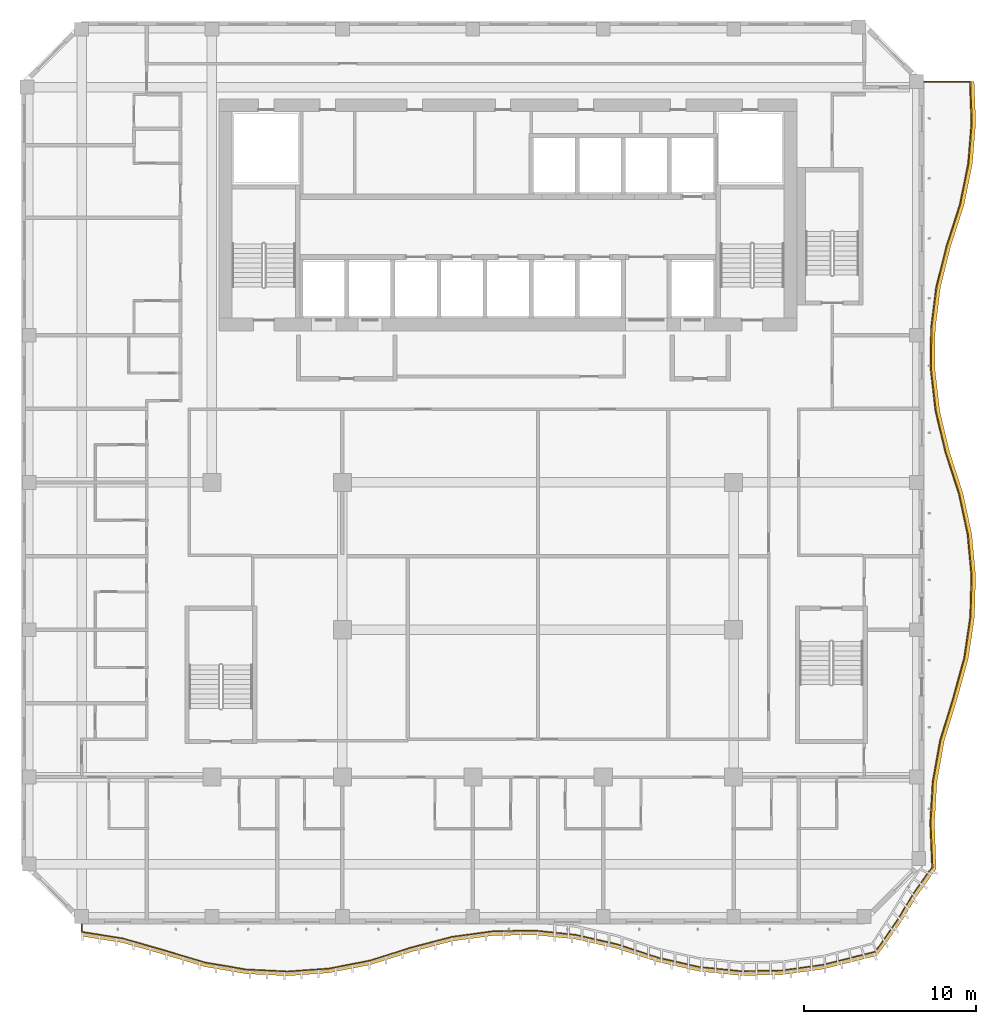
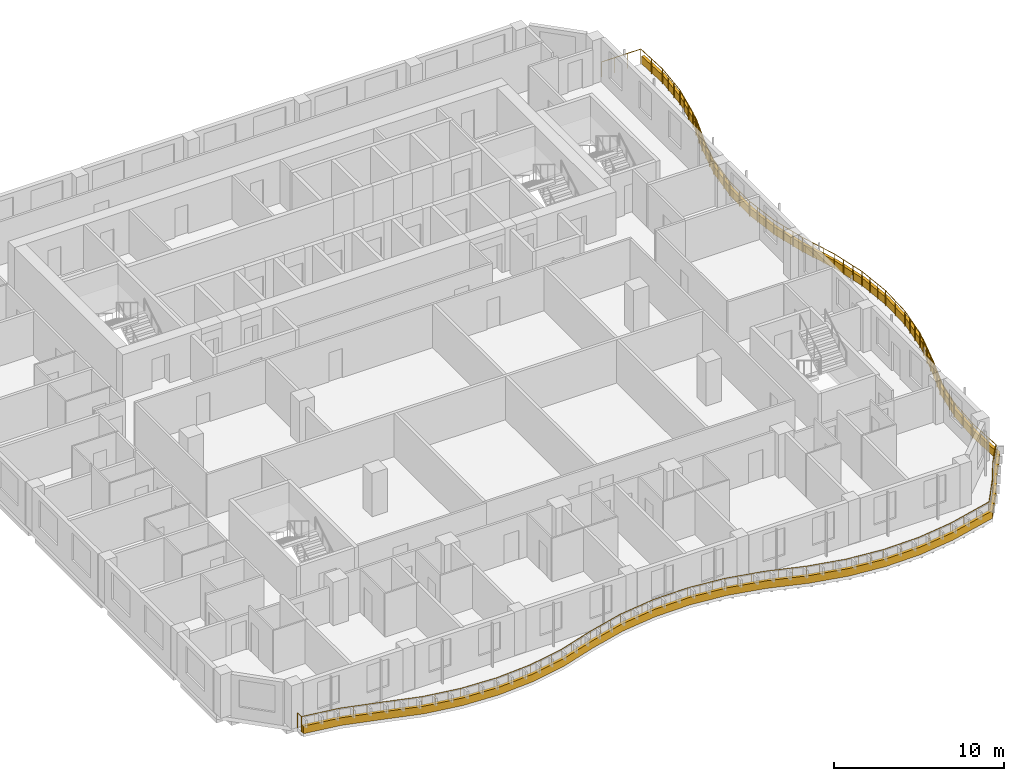
# One storey, part 17 of 21: 1 railing, 1 shading device.
"""IFC4 building model written with IfcOpenShell, lengths in metres."""

from ifc_helpers import new_model, si_unit, direction, frame, origin, origin_2d, place, context, subcontext, project, spatial, polyline, circle, outline, extrude, source, transform, mapped, material, layer, layer_set, type_object, element, save


model = new_model("IFC4")

# Units and contexts
model_context = context("Model", 3, precision=1e-05, world=origin(), true_north=direction((0.0, 1.0)))
body_context = subcontext(model_context, "Body", "Model", "MODEL_VIEW")
ifc_project = project(units=[si_unit("LENGTHUNIT", "METRE"), si_unit("AREAUNIT", "SQUARE_METRE"), si_unit("VOLUMEUNIT", "CUBIC_METRE"), si_unit("PLANEANGLEUNIT", "RADIAN"), si_unit("MASSUNIT", "GRAM", prefix="KILO")], contexts=[model_context])

# Site, building, storey
site_placement = place(None, origin())
site = spatial("IfcSite", under=ifc_project, at=site_placement, CompositionType="ELEMENT")
building_placement = place(site_placement, origin())
building = spatial("IfcBuilding", under=site, at=building_placement, Name="Kilnfold Tower and Market Hall", CompositionType="ELEMENT")
storey_placement = place(building_placement, frame((0.0, 0.0, 185.5)))
storey = spatial("IfcBuildingStorey", under=building, at=storey_placement, Name="L44", CompositionType="ELEMENT", Elevation=185.5)

# Railing
ifc_material_1 = material(Name="Stainless steel and laminated glass", Category="steel")
railing_type = type_object("IfcRailingType", Name="GUARD 1100", PredefinedType="GUARDRAIL", material=ifc_material_1)
railing_placement = place(storey_placement, frame((-23.75, -26.25, 0.0)))
element("IfcRailing", 1, at=railing_placement, inside=storey, type_object=railing_type, Name="Guard balcony L44", PredefinedType="GUARDRAIL", context=body_context, shape_type="SweptSolid", body=[
    extrude(circle(Radius=0.02490234375, at=origin_2d()), frame((0.0, 0.0, 1.0751953125), z_axis=(0.0, -1.0, 0.0), x_axis=(1.0, 0.0, 0.0)), (0.0, 0.0, 1.0), 0.4453125),
    extrude(circle(Radius=0.02490234375, at=origin_2d()), frame((0.0, -0.4453125, 1.0751953125), z_axis=(0.987650865761, -0.156670888686, 0.0), x_axis=(0.156670888686, 0.987650865761, 0.0)), (0.0, 0.0, 1.0), 2.4248046875),
    extrude(circle(Radius=0.02490234375, at=origin_2d()), frame((2.394775390625, -0.8251953125, 1.0751953125), z_axis=(0.961227557849, -0.275756381669, 0.0), x_axis=(0.275756381669, 0.961227557849, 0.0)), (0.0, 0.0, 1.0), 2.491455078125),
    extrude(circle(Radius=0.02490234375, at=origin_2d()), frame((4.78955078125, -1.51220703125, 1.0751953125), z_axis=(0.958239394231, -0.285967241733, 0.0), x_axis=(0.285967241733, 0.958239394231, 0.0)), (0.0, 0.0, 1.0), 2.498779296875),
    extrude(circle(Radius=0.02490234375, at=origin_2d()), frame((7.18408203125, -2.226806640625, 1.0751953125), z_axis=(0.985930978156, -0.167152942876, 0.0), x_axis=(0.167152942876, 0.985930978156, 0.0)), (0.0, 0.0, 1.0), 2.428955078125),
    extrude(circle(Radius=0.02490234375, at=origin_2d()), frame((9.578857421875, -2.6328125, 1.0751953125), z_axis=(0.998829571825, -0.048368238008, 0.0), x_axis=(0.048368238008, 0.998829571825, 0.0)), (0.0, 0.0, 1.0), 2.3974609375),
    extrude(circle(Radius=0.02490234375, at=origin_2d()), frame((11.9736328125, -2.748779296875, 1.0751953125), z_axis=(0.997499316582, 0.070676116324, 0.0), x_axis=(-0.070676116324, 0.997499316582, 0.0)), (0.0, 0.0, 1.0), 2.40087890625),
    extrude(circle(Radius=0.02490234375, at=origin_2d()), frame((14.368408203125, -2.5791015625, 1.0751953125), z_axis=(0.981864089464, 0.189586154087, 0.0), x_axis=(-0.189586154087, 0.981864089464, 0.0)), (0.0, 0.0, 1.0), 2.43896484375),
    extrude(circle(Radius=0.02490234375, at=origin_2d()), frame((16.76318359375, -2.11669921875, 1.0751953125), z_axis=(0.953347353448, 0.301875510226, 0.0), x_axis=(-0.301875510226, 0.953347353448, 0.0)), (0.0, 0.0, 1.0), 2.511962890625),
    extrude(circle(Radius=0.02490234375, at=origin_2d()), frame((19.157958984375, -1.3583984375, 1.0751953125), z_axis=(0.967366467513, 0.253381367765, 0.0), x_axis=(-0.253381367765, 0.967366467513, 0.0)), (0.0, 0.0, 1.0), 2.475341796875),
    extrude(circle(Radius=0.02490234375, at=origin_2d()), frame((21.552490234375, -0.731201171875, 1.0751953125), z_axis=(0.99093436759, 0.134346861253, 0.0), x_axis=(-0.134346861253, 0.99093436759, 0.0)), (0.0, 0.0, 1.0), 2.4169921875),
    extrude(circle(Radius=0.02490234375, at=origin_2d()), frame((23.947509765625, -0.406494140625, 1.0751953125), z_axis=(0.999879934552, 0.015495692297, 0.0), x_axis=(-0.015495692297, 0.999879934552, 0.0)), (0.0, 0.0, 1.0), 2.394775390625),
    extrude(circle(Radius=0.02490234375, at=origin_2d()), frame((26.342041015625, -0.369384765625, 1.0751953125), z_axis=(0.994626460365, -0.103528760937, 0.0), x_axis=(0.103528760937, 0.994626460365, 0.0)), (0.0, 0.0, 1.0), 2.40771484375),
    extrude(circle(Radius=0.02490234375, at=origin_2d()), frame((28.73681640625, -0.61865234375, 1.0751953125), z_axis=(0.974967577749, -0.2223470763, 0.0), x_axis=(0.2223470763, 0.974967577749, 0.0)), (0.0, 0.0, 1.0), 2.456298828125),
    extrude(circle(Radius=0.02490234375, at=origin_2d()), frame((31.131591796875, -1.164794921875, 1.0751953125), z_axis=(0.950660885118, -0.310231980147, 0.0), x_axis=(0.310231980147, 0.950660885118, 0.0)), (0.0, 0.0, 1.0), 2.51904296875),
    extrude(circle(Radius=0.02490234375, at=origin_2d()), frame((33.5263671875, -1.9462890625, 1.0751953125), z_axis=(0.975375488217, -0.220550803636, 0.0), x_axis=(0.220550803636, 0.975375488217, 0.0)), (0.0, 0.0, 1.0), 2.455322265625),
    extrude(circle(Radius=0.02490234375, at=origin_2d()), frame((35.921142578125, -2.48779296875, 1.0751953125), z_axis=(0.994833306385, -0.101521881914, 0.0), x_axis=(0.101521881914, 0.994833306385, 0.0)), (0.0, 0.0, 1.0), 2.4072265625),
    extrude(circle(Radius=0.02490234375, at=origin_2d()), frame((38.31591796875, -2.732177734375, 1.0751953125), z_axis=(0.99984982104, 0.017330186539, 0.0), x_axis=(-0.017330186539, 0.99984982104, 0.0)), (0.0, 0.0, 1.0), 2.394775390625),
    extrude(circle(Radius=0.02490234375, at=origin_2d()), frame((40.71044921875, -2.690673828125, 1.0751953125), z_axis=(0.990661625128, 0.136343479857, 0.0), x_axis=(-0.136343479857, 0.990661625128, 0.0)), (0.0, 0.0, 1.0), 2.417236328125),
    extrude(circle(Radius=0.02490234375, at=origin_2d()), frame((43.105224609375, -2.361083984375, 1.0751953125), z_axis=(0.970156174139, 0.242480922508, 0.0), x_axis=(-0.242480922508, 0.970156174139, 0.0)), (0.0, 0.0, 1.0), 3.150390625),
    extrude(circle(Radius=0.02490234375, at=origin_2d()), frame((46.16162109375, -1.59716796875, 1.0751953125), z_axis=(0.569599000783, 0.821922732565, 0.0), x_axis=(-0.821922732565, 0.569599000783, 0.0)), (0.0, 0.0, 1.0), 2.349365234375),
    extrude(circle(Radius=0.02490234375, at=origin_2d()), frame((47.499755859375, 0.333740234375, 1.0751953125), z_axis=(0.514179076421, 0.857682853606, 0.0), x_axis=(-0.857682853606, 0.514179076421, 0.0)), (0.0, 0.0, 1.0), 1.70068359375),
    extrude(circle(Radius=0.02490234375, at=origin_2d()), frame((48.374267578125, 1.79248046875, 1.0751953125), z_axis=(0.581089588577, 0.813839597247, 0.0), x_axis=(-0.813839597247, 0.581089588577, 0.0)), (0.0, 0.0, 1.0), 1.864990234375),
    extrude(circle(Radius=0.02490234375, at=origin_2d()), frame((49.4580078125, 3.310302734375, 1.0751953125), z_axis=(-0.041716911587, 0.999129470733, 0.0), x_axis=(-0.999129470733, -0.041716911587, 0.0)), (0.0, 0.0, 1.0), 2.586669921875),
    extrude(circle(Radius=0.02490234375, at=origin_2d()), frame((49.35009765625, 5.894775390625, 1.0751953125), z_axis=(0.058113467334, 0.998309984381, 0.0), x_axis=(-0.998309984381, 0.058113467334, 0.0)), (0.0, 0.0, 1.0), 2.39892578125),
    extrude(circle(Radius=0.02490234375, at=origin_2d()), frame((49.489501953125, 8.28955078125, 1.0751953125), z_axis=(0.177207427157, 0.984173525228, 0.0), x_axis=(-0.984173525228, 0.177207427157, 0.0)), (0.0, 0.0, 1.0), 2.43310546875),
    extrude(circle(Radius=0.02490234375, at=origin_2d()), frame((49.920654296875, 10.68408203125, 1.0751953125), z_axis=(0.294072154619, 0.95578322222, 0.0), x_axis=(-0.95578322222, 0.294072154619, 0.0)), (0.0, 0.0, 1.0), 2.505615234375),
    extrude(circle(Radius=0.02490234375, at=origin_2d()), frame((50.657470703125, 13.078857421875, 1.0751953125), z_axis=(0.265752630329, 0.964041254031, 0.0), x_axis=(-0.964041254031, 0.265752630329, 0.0)), (0.0, 0.0, 1.0), 2.484130859375),
    extrude(circle(Radius=0.02490234375, at=origin_2d()), frame((51.317626953125, 15.4736328125, 1.0751953125), z_axis=(0.146826411597, 0.989162274279, 0.0), x_axis=(-0.989162274279, 0.146826411597, 0.0)), (0.0, 0.0, 1.0), 2.4208984375),
    extrude(circle(Radius=0.02490234375, at=origin_2d()), frame((51.673095703125, 17.868408203125, 1.0751953125), z_axis=(0.027922638788, 0.999610087106, 0.0), x_axis=(-0.999610087106, 0.027922638788, 0.0)), (0.0, 0.0, 1.0), 2.395751953125),
    extrude(circle(Radius=0.02490234375, at=origin_2d()), frame((51.739990234375, 20.26318359375, 1.0751953125), z_axis=(-0.091066651573, 0.995844799641, 0.0), x_axis=(-0.995844799641, -0.091066651573, 0.0)), (0.0, 0.0, 1.0), 2.40478515625),
    extrude(circle(Radius=0.02490234375, at=origin_2d()), frame((51.52099609375, 22.657958984375, 1.0751953125), z_axis=(-0.209937537619, 0.977714800081, 0.0), x_axis=(-0.977714800081, -0.209937537619, 0.0)), (0.0, 0.0, 1.0), 2.44921875),
    extrude(circle(Radius=0.02490234375, at=origin_2d()), frame((51.0068359375, 25.052490234375, 1.0751953125), z_axis=(-0.309151832949, 0.951012694019, 0.0), x_axis=(-0.951012694019, -0.309151832949, 0.0)), (0.0, 0.0, 1.0), 2.518310546875),
    extrude(circle(Radius=0.02490234375, at=origin_2d()), frame((50.228271484375, 27.447509765625, 1.0751953125), z_axis=(-0.232911659761, 0.972497896526, 0.0), x_axis=(-0.972497896526, -0.232911659761, 0.0)), (0.0, 0.0, 1.0), 2.462158203125),
    extrude(circle(Radius=0.02490234375, at=origin_2d()), frame((49.65478515625, 29.842041015625, 1.0751953125), z_axis=(-0.114043601737, 0.993475745503, 0.0), x_axis=(-0.993475745503, -0.114043601737, 0.0)), (0.0, 0.0, 1.0), 2.410400390625),
    extrude(circle(Radius=0.02490234375, at=origin_2d()), frame((49.3798828125, 32.23681640625, 1.0751953125), z_axis=(0.004893406597, 0.999988027214, 0.0), x_axis=(-0.999988027214, 0.004893406597, 0.0)), (0.0, 0.0, 1.0), 2.394775390625),
    extrude(circle(Radius=0.02490234375, at=origin_2d()), frame((49.3916015625, 34.631591796875, 1.0751953125), z_axis=(0.123922678127, 0.992291877345, 0.0), x_axis=(-0.992291877345, 0.123922678127, 0.0)), (0.0, 0.0, 1.0), 2.413330078125),
    extrude(circle(Radius=0.02490234375, at=origin_2d()), frame((49.690673828125, 37.0263671875, 1.0751953125), z_axis=(0.24279158472, 0.970078474346, 0.0), x_axis=(-0.970078474346, 0.24279158472, 0.0)), (0.0, 0.0, 1.0), 2.46875),
    extrude(circle(Radius=0.02490234375, at=origin_2d()), frame((50.2900390625, 39.421142578125, 1.0751953125), z_axis=(0.306546267932, 0.95185575883, 0.0), x_axis=(-0.95185575883, 0.306546267932, 0.0)), (0.0, 0.0, 1.0), 2.515869140625),
    extrude(circle(Radius=0.02490234375, at=origin_2d()), frame((51.061279296875, 41.81591796875, 1.0751953125), z_axis=(0.200091140821, 0.979777288655, 0.0), x_axis=(-0.979777288655, 0.200091140821, 0.0)), (0.0, 0.0, 1.0), 2.44384765625),
    extrude(circle(Radius=0.02490234375, at=origin_2d()), frame((51.55029296875, 44.21044921875, 1.0751953125), z_axis=(0.081186911646, 0.996698894038, 0.0), x_axis=(-0.996698894038, 0.081186911646, 0.0)), (0.0, 0.0, 1.0), 2.402587890625),
    extrude(circle(Radius=0.02490234375, at=origin_2d()), frame((51.745361328125, 46.605224609375, 1.0751953125), z_axis=(-0.037795383853, 0.999285499224, 0.0), x_axis=(-0.999285499224, -0.037795383853, 0.0)), (0.0, 0.0, 1.0), 2.396484375),
    extrude(circle(Radius=0.02490234375, at=origin_2d()), frame((51.65478515625, 49.0, 1.0751953125), z_axis=(-1.0, 0.0, 0.0), x_axis=(0.0, -1.0, 0.0)), (0.0, 0.0, 1.0), 2.65478515625),
    extrude(circle(Radius=0.02490234375, at=origin_2d()), origin(), (0.0, 0.0, 1.0), 1.050048828125),
    extrude(circle(Radius=0.02490234375, at=origin_2d()), frame((0.0, -0.4453125, 0.0)), (0.0, 0.0, 1.0), 1.050048828125),
    extrude(circle(Radius=0.02490234375, at=origin_2d()), frame((0.79833984375, -0.572021484375, 0.0)), (0.0, 0.0, 1.0), 1.050048828125),
    extrude(circle(Radius=0.02490234375, at=origin_2d()), frame((1.596435546875, -0.698486328125, 0.0)), (0.0, 0.0, 1.0), 1.050048828125),
    extrude(circle(Radius=0.02490234375, at=origin_2d()), frame((2.394775390625, -0.8251953125, 0.0)), (0.0, 0.0, 1.0), 1.050048828125),
    extrude(circle(Radius=0.02490234375, at=origin_2d()), frame((3.193115234375, -1.05419921875, 0.0)), (0.0, 0.0, 1.0), 1.050048828125),
    extrude(circle(Radius=0.02490234375, at=origin_2d()), frame((3.9912109375, -1.283203125, 0.0)), (0.0, 0.0, 1.0), 1.050048828125),
    extrude(circle(Radius=0.02490234375, at=origin_2d()), frame((4.78955078125, -1.51220703125, 0.0)), (0.0, 0.0, 1.0), 1.050048828125),
    extrude(circle(Radius=0.02490234375, at=origin_2d()), frame((5.587646484375, -1.75048828125, 0.0)), (0.0, 0.0, 1.0), 1.050048828125),
    extrude(circle(Radius=0.02490234375, at=origin_2d()), frame((6.385986328125, -1.988525390625, 0.0)), (0.0, 0.0, 1.0), 1.050048828125),
    extrude(circle(Radius=0.02490234375, at=origin_2d()), frame((7.18408203125, -2.226806640625, 0.0)), (0.0, 0.0, 1.0), 1.050048828125),
    extrude(circle(Radius=0.02490234375, at=origin_2d()), frame((7.982421875, -2.362060546875, 0.0)), (0.0, 0.0, 1.0), 1.050048828125),
    extrude(circle(Radius=0.02490234375, at=origin_2d()), frame((8.780517578125, -2.49755859375, 0.0)), (0.0, 0.0, 1.0), 1.050048828125),
    extrude(circle(Radius=0.02490234375, at=origin_2d()), frame((9.578857421875, -2.6328125, 0.0)), (0.0, 0.0, 1.0), 1.050048828125),
    extrude(circle(Radius=0.02490234375, at=origin_2d()), frame((10.7763671875, -2.69091796875, 0.0)), (0.0, 0.0, 1.0), 1.050048828125),
    extrude(circle(Radius=0.02490234375, at=origin_2d()), frame((11.9736328125, -2.748779296875, 0.0)), (0.0, 0.0, 1.0), 1.050048828125),
    extrude(circle(Radius=0.02490234375, at=origin_2d()), frame((12.77197265625, -2.692138671875, 0.0)), (0.0, 0.0, 1.0), 1.050048828125),
    extrude(circle(Radius=0.02490234375, at=origin_2d()), frame((13.570068359375, -2.6357421875, 0.0)), (0.0, 0.0, 1.0), 1.050048828125),
    extrude(circle(Radius=0.02490234375, at=origin_2d()), frame((14.368408203125, -2.5791015625, 0.0)), (0.0, 0.0, 1.0), 1.050048828125),
    extrude(circle(Radius=0.02490234375, at=origin_2d()), frame((15.166748046875, -2.425048828125, 0.0)), (0.0, 0.0, 1.0), 1.050048828125),
    extrude(circle(Radius=0.02490234375, at=origin_2d()), frame((15.96484375, -2.270751953125, 0.0)), (0.0, 0.0, 1.0), 1.050048828125),
    extrude(circle(Radius=0.02490234375, at=origin_2d()), frame((16.76318359375, -2.11669921875, 0.0)), (0.0, 0.0, 1.0), 1.050048828125),
    extrude(circle(Radius=0.02490234375, at=origin_2d()), frame((17.5615234375, -1.864013671875, 0.0)), (0.0, 0.0, 1.0), 1.050048828125),
    extrude(circle(Radius=0.02490234375, at=origin_2d()), frame((18.359619140625, -1.611083984375, 0.0)), (0.0, 0.0, 1.0), 1.050048828125),
    extrude(circle(Radius=0.02490234375, at=origin_2d()), frame((19.157958984375, -1.3583984375, 0.0)), (0.0, 0.0, 1.0), 1.050048828125),
    extrude(circle(Radius=0.02490234375, at=origin_2d()), frame((19.9560546875, -1.1494140625, 0.0)), (0.0, 0.0, 1.0), 1.050048828125),
    extrude(circle(Radius=0.02490234375, at=origin_2d()), frame((20.75439453125, -0.940185546875, 0.0)), (0.0, 0.0, 1.0), 1.050048828125),
    extrude(circle(Radius=0.02490234375, at=origin_2d()), frame((21.552490234375, -0.731201171875, 0.0)), (0.0, 0.0, 1.0), 1.050048828125),
    extrude(circle(Radius=0.02490234375, at=origin_2d()), frame((22.350830078125, -0.623046875, 0.0)), (0.0, 0.0, 1.0), 1.050048828125),
    extrude(circle(Radius=0.02490234375, at=origin_2d()), frame((23.149169921875, -0.5146484375, 0.0)), (0.0, 0.0, 1.0), 1.050048828125),
    extrude(circle(Radius=0.02490234375, at=origin_2d()), frame((23.947509765625, -0.406494140625, 0.0)), (0.0, 0.0, 1.0), 1.050048828125),
    extrude(circle(Radius=0.02490234375, at=origin_2d()), frame((25.144775390625, -0.387939453125, 0.0)), (0.0, 0.0, 1.0), 1.050048828125),
    extrude(circle(Radius=0.02490234375, at=origin_2d()), frame((26.342041015625, -0.369384765625, 0.0)), (0.0, 0.0, 1.0), 1.050048828125),
    extrude(circle(Radius=0.02490234375, at=origin_2d()), frame((27.140380859375, -0.452392578125, 0.0)), (0.0, 0.0, 1.0), 1.050048828125),
    extrude(circle(Radius=0.02490234375, at=origin_2d()), frame((27.9384765625, -0.53564453125, 0.0)), (0.0, 0.0, 1.0), 1.050048828125),
    extrude(circle(Radius=0.02490234375, at=origin_2d()), frame((28.73681640625, -0.61865234375, 0.0)), (0.0, 0.0, 1.0), 1.050048828125),
    extrude(circle(Radius=0.02490234375, at=origin_2d()), frame((29.53515625, -0.80078125, 0.0)), (0.0, 0.0, 1.0), 1.050048828125),
    extrude(circle(Radius=0.02490234375, at=origin_2d()), frame((30.333251953125, -0.982666015625, 0.0)), (0.0, 0.0, 1.0), 1.050048828125),
    extrude(circle(Radius=0.02490234375, at=origin_2d()), frame((31.131591796875, -1.164794921875, 0.0)), (0.0, 0.0, 1.0), 1.050048828125),
    extrude(circle(Radius=0.02490234375, at=origin_2d()), frame((31.929931640625, -1.42529296875, 0.0)), (0.0, 0.0, 1.0), 1.050048828125),
    extrude(circle(Radius=0.02490234375, at=origin_2d()), frame((32.72802734375, -1.685791015625, 0.0)), (0.0, 0.0, 1.0), 1.050048828125),
    extrude(circle(Radius=0.02490234375, at=origin_2d()), frame((33.5263671875, -1.9462890625, 0.0)), (0.0, 0.0, 1.0), 1.050048828125),
    extrude(circle(Radius=0.02490234375, at=origin_2d()), frame((34.32470703125, -2.126708984375, 0.0)), (0.0, 0.0, 1.0), 1.050048828125),
    extrude(circle(Radius=0.02490234375, at=origin_2d()), frame((35.122802734375, -2.307373046875, 0.0)), (0.0, 0.0, 1.0), 1.050048828125),
    extrude(circle(Radius=0.02490234375, at=origin_2d()), frame((35.921142578125, -2.48779296875, 0.0)), (0.0, 0.0, 1.0), 1.050048828125),
    extrude(circle(Radius=0.02490234375, at=origin_2d()), frame((36.719482421875, -2.5693359375, 0.0)), (0.0, 0.0, 1.0), 1.050048828125),
    extrude(circle(Radius=0.02490234375, at=origin_2d()), frame((37.517578125, -2.650634765625, 0.0)), (0.0, 0.0, 1.0), 1.050048828125),
    extrude(circle(Radius=0.02490234375, at=origin_2d()), frame((38.31591796875, -2.732177734375, 0.0)), (0.0, 0.0, 1.0), 1.050048828125),
    extrude(circle(Radius=0.02490234375, at=origin_2d()), frame((39.51318359375, -2.71142578125, 0.0)), (0.0, 0.0, 1.0), 1.050048828125),
    extrude(circle(Radius=0.02490234375, at=origin_2d()), frame((40.71044921875, -2.690673828125, 0.0)), (0.0, 0.0, 1.0), 1.050048828125),
    extrude(circle(Radius=0.02490234375, at=origin_2d()), frame((41.5087890625, -2.580810546875, 0.0)), (0.0, 0.0, 1.0), 1.050048828125),
    extrude(circle(Radius=0.02490234375, at=origin_2d()), frame((42.306884765625, -2.470947265625, 0.0)), (0.0, 0.0, 1.0), 1.050048828125),
    extrude(circle(Radius=0.02490234375, at=origin_2d()), frame((43.105224609375, -2.361083984375, 0.0)), (0.0, 0.0, 1.0), 1.050048828125),
    extrude(circle(Radius=0.02490234375, at=origin_2d()), frame((44.1240234375, -2.1064453125, 0.0)), (0.0, 0.0, 1.0), 1.050048828125),
    extrude(circle(Radius=0.02490234375, at=origin_2d()), frame((45.142822265625, -1.851806640625, 0.0)), (0.0, 0.0, 1.0), 1.050048828125),
    extrude(circle(Radius=0.02490234375, at=origin_2d()), frame((46.16162109375, -1.59716796875, 0.0)), (0.0, 0.0, 1.0), 1.050048828125),
    extrude(circle(Radius=0.02490234375, at=origin_2d()), frame((46.83056640625, -0.6318359375, 0.0)), (0.0, 0.0, 1.0), 1.050048828125),
    extrude(circle(Radius=0.02490234375, at=origin_2d()), frame((47.499755859375, 0.333740234375, 0.0)), (0.0, 0.0, 1.0), 1.050048828125),
    extrude(circle(Radius=0.02490234375, at=origin_2d()), frame((47.93701171875, 1.06298828125, 0.0)), (0.0, 0.0, 1.0), 1.050048828125),
    extrude(circle(Radius=0.02490234375, at=origin_2d()), frame((48.374267578125, 1.79248046875, 0.0)), (0.0, 0.0, 1.0), 1.050048828125),
    extrude(circle(Radius=0.02490234375, at=origin_2d()), frame((48.916015625, 2.55126953125, 0.0)), (0.0, 0.0, 1.0), 1.050048828125),
    extrude(circle(Radius=0.02490234375, at=origin_2d()), frame((49.4580078125, 3.310302734375, 0.0)), (0.0, 0.0, 1.0), 1.050048828125),
    extrude(circle(Radius=0.02490234375, at=origin_2d()), frame((49.422119140625, 4.171875, 0.0)), (0.0, 0.0, 1.0), 1.050048828125),
    extrude(circle(Radius=0.02490234375, at=origin_2d()), frame((49.385986328125, 5.033203125, 0.0)), (0.0, 0.0, 1.0), 1.050048828125),
    extrude(circle(Radius=0.02490234375, at=origin_2d()), frame((49.35009765625, 5.894775390625, 0.0)), (0.0, 0.0, 1.0), 1.050048828125),
    extrude(circle(Radius=0.02490234375, at=origin_2d()), frame((49.419921875, 7.09228515625, 0.0)), (0.0, 0.0, 1.0), 1.050048828125),
    extrude(circle(Radius=0.02490234375, at=origin_2d()), frame((49.489501953125, 8.28955078125, 0.0)), (0.0, 0.0, 1.0), 1.050048828125),
    extrude(circle(Radius=0.02490234375, at=origin_2d()), frame((49.63330078125, 9.087646484375, 0.0)), (0.0, 0.0, 1.0), 1.050048828125),
    extrude(circle(Radius=0.02490234375, at=origin_2d()), frame((49.77685546875, 9.885986328125, 0.0)), (0.0, 0.0, 1.0), 1.050048828125),
    extrude(circle(Radius=0.02490234375, at=origin_2d()), frame((49.920654296875, 10.68408203125, 0.0)), (0.0, 0.0, 1.0), 1.050048828125),
    extrude(circle(Radius=0.02490234375, at=origin_2d()), frame((50.166259765625, 11.482421875, 0.0)), (0.0, 0.0, 1.0), 1.050048828125),
    extrude(circle(Radius=0.02490234375, at=origin_2d()), frame((50.411865234375, 12.280517578125, 0.0)), (0.0, 0.0, 1.0), 1.050048828125),
    extrude(circle(Radius=0.02490234375, at=origin_2d()), frame((50.657470703125, 13.078857421875, 0.0)), (0.0, 0.0, 1.0), 1.050048828125),
    extrude(circle(Radius=0.02490234375, at=origin_2d()), frame((50.87744140625, 13.877197265625, 0.0)), (0.0, 0.0, 1.0), 1.050048828125),
    extrude(circle(Radius=0.02490234375, at=origin_2d()), frame((51.09765625, 14.67529296875, 0.0)), (0.0, 0.0, 1.0), 1.050048828125),
    extrude(circle(Radius=0.02490234375, at=origin_2d()), frame((51.317626953125, 15.4736328125, 0.0)), (0.0, 0.0, 1.0), 1.050048828125),
    extrude(circle(Radius=0.02490234375, at=origin_2d()), frame((51.43603515625, 16.27197265625, 0.0)), (0.0, 0.0, 1.0), 1.050048828125),
    extrude(circle(Radius=0.02490234375, at=origin_2d()), frame((51.5546875, 17.070068359375, 0.0)), (0.0, 0.0, 1.0), 1.050048828125),
    extrude(circle(Radius=0.02490234375, at=origin_2d()), frame((51.673095703125, 17.868408203125, 0.0)), (0.0, 0.0, 1.0), 1.050048828125),
    extrude(circle(Radius=0.02490234375, at=origin_2d()), frame((51.70654296875, 19.06591796875, 0.0)), (0.0, 0.0, 1.0), 1.050048828125),
    extrude(circle(Radius=0.02490234375, at=origin_2d()), frame((51.739990234375, 20.26318359375, 0.0)), (0.0, 0.0, 1.0), 1.050048828125),
    extrude(circle(Radius=0.02490234375, at=origin_2d()), frame((51.6669921875, 21.0615234375, 0.0)), (0.0, 0.0, 1.0), 1.050048828125),
    extrude(circle(Radius=0.02490234375, at=origin_2d()), frame((51.593994140625, 21.859619140625, 0.0)), (0.0, 0.0, 1.0), 1.050048828125),
    extrude(circle(Radius=0.02490234375, at=origin_2d()), frame((51.52099609375, 22.657958984375, 0.0)), (0.0, 0.0, 1.0), 1.050048828125),
    extrude(circle(Radius=0.02490234375, at=origin_2d()), frame((51.349609375, 23.4560546875, 0.0)), (0.0, 0.0, 1.0), 1.050048828125),
    extrude(circle(Radius=0.02490234375, at=origin_2d()), frame((51.17822265625, 24.25439453125, 0.0)), (0.0, 0.0, 1.0), 1.050048828125),
    extrude(circle(Radius=0.02490234375, at=origin_2d()), frame((51.0068359375, 25.052490234375, 0.0)), (0.0, 0.0, 1.0), 1.050048828125),
    extrude(circle(Radius=0.02490234375, at=origin_2d()), frame((50.747314453125, 25.850830078125, 0.0)), (0.0, 0.0, 1.0), 1.050048828125),
    extrude(circle(Radius=0.02490234375, at=origin_2d()), frame((50.48779296875, 26.649169921875, 0.0)), (0.0, 0.0, 1.0), 1.050048828125),
    extrude(circle(Radius=0.02490234375, at=origin_2d()), frame((50.228271484375, 27.447509765625, 0.0)), (0.0, 0.0, 1.0), 1.050048828125),
    extrude(circle(Radius=0.02490234375, at=origin_2d()), frame((50.037109375, 28.24560546875, 0.0)), (0.0, 0.0, 1.0), 1.050048828125),
    extrude(circle(Radius=0.02490234375, at=origin_2d()), frame((49.845947265625, 29.0439453125, 0.0)), (0.0, 0.0, 1.0), 1.050048828125),
    extrude(circle(Radius=0.02490234375, at=origin_2d()), frame((49.65478515625, 29.842041015625, 0.0)), (0.0, 0.0, 1.0), 1.050048828125),
    extrude(circle(Radius=0.02490234375, at=origin_2d()), frame((49.563232421875, 30.640380859375, 0.0)), (0.0, 0.0, 1.0), 1.050048828125),
    extrude(circle(Radius=0.02490234375, at=origin_2d()), frame((49.471435546875, 31.4384765625, 0.0)), (0.0, 0.0, 1.0), 1.050048828125),
    extrude(circle(Radius=0.02490234375, at=origin_2d()), frame((49.3798828125, 32.23681640625, 0.0)), (0.0, 0.0, 1.0), 1.050048828125),
    extrude(circle(Radius=0.02490234375, at=origin_2d()), frame((49.3857421875, 33.43408203125, 0.0)), (0.0, 0.0, 1.0), 1.050048828125),
    extrude(circle(Radius=0.02490234375, at=origin_2d()), frame((49.3916015625, 34.631591796875, 0.0)), (0.0, 0.0, 1.0), 1.050048828125),
    extrude(circle(Radius=0.02490234375, at=origin_2d()), frame((49.4912109375, 35.429931640625, 0.0)), (0.0, 0.0, 1.0), 1.050048828125),
    extrude(circle(Radius=0.02490234375, at=origin_2d()), frame((49.591064453125, 36.22802734375, 0.0)), (0.0, 0.0, 1.0), 1.050048828125),
    extrude(circle(Radius=0.02490234375, at=origin_2d()), frame((49.690673828125, 37.0263671875, 0.0)), (0.0, 0.0, 1.0), 1.050048828125),
    extrude(circle(Radius=0.02490234375, at=origin_2d()), frame((49.890380859375, 37.82470703125, 0.0)), (0.0, 0.0, 1.0), 1.050048828125),
    extrude(circle(Radius=0.02490234375, at=origin_2d()), frame((50.09033203125, 38.622802734375, 0.0)), (0.0, 0.0, 1.0), 1.050048828125),
    extrude(circle(Radius=0.02490234375, at=origin_2d()), frame((50.2900390625, 39.421142578125, 0.0)), (0.0, 0.0, 1.0), 1.050048828125),
    extrude(circle(Radius=0.02490234375, at=origin_2d()), frame((50.547119140625, 40.219482421875, 0.0)), (0.0, 0.0, 1.0), 1.050048828125),
    extrude(circle(Radius=0.02490234375, at=origin_2d()), frame((50.80419921875, 41.017578125, 0.0)), (0.0, 0.0, 1.0), 1.050048828125),
    extrude(circle(Radius=0.02490234375, at=origin_2d()), frame((51.061279296875, 41.81591796875, 0.0)), (0.0, 0.0, 1.0), 1.050048828125),
    extrude(circle(Radius=0.02490234375, at=origin_2d()), frame((51.224365234375, 42.614013671875, 0.0)), (0.0, 0.0, 1.0), 1.050048828125),
    extrude(circle(Radius=0.02490234375, at=origin_2d()), frame((51.38720703125, 43.412353515625, 0.0)), (0.0, 0.0, 1.0), 1.050048828125),
    extrude(circle(Radius=0.02490234375, at=origin_2d()), frame((51.55029296875, 44.21044921875, 0.0)), (0.0, 0.0, 1.0), 1.050048828125),
    extrude(circle(Radius=0.02490234375, at=origin_2d()), frame((51.615234375, 45.0087890625, 0.0)), (0.0, 0.0, 1.0), 1.050048828125),
    extrude(circle(Radius=0.02490234375, at=origin_2d()), frame((51.680419921875, 45.806884765625, 0.0)), (0.0, 0.0, 1.0), 1.050048828125),
    extrude(circle(Radius=0.02490234375, at=origin_2d()), frame((51.745361328125, 46.605224609375, 0.0)), (0.0, 0.0, 1.0), 1.050048828125),
    extrude(circle(Radius=0.02490234375, at=origin_2d()), frame((51.7001953125, 47.802734375, 0.0)), (0.0, 0.0, 1.0), 1.050048828125),
    extrude(circle(Radius=0.02490234375, at=origin_2d()), frame((51.65478515625, 49.0, 0.0)), (0.0, 0.0, 1.0), 1.050048828125),
    extrude(circle(Radius=0.02490234375, at=origin_2d()), frame((50.769775390625, 49.0, 0.0)), (0.0, 0.0, 1.0), 1.050048828125),
    extrude(circle(Radius=0.02490234375, at=origin_2d()), frame((49.885009765625, 49.0, 0.0)), (0.0, 0.0, 1.0), 1.050048828125),
    extrude(circle(Radius=0.02490234375, at=origin_2d()), frame((49.0, 49.0, 0.0)), (0.0, 0.0, 1.0), 1.050048828125),
])

# Shading device
ifc_material_2 = material(Name="Precast concrete C50/60", Category="concrete")
ifc_layer = layer(ifc_material_2, 0.550048828125)
ifc_layer_set = layer_set([ifc_layer], Name="Precast concrete C50/60")
shading_device_type = type_object("IfcShadingDeviceType", Name="BALCONY UPSTAND 550", PredefinedType="USERDEFINED", material=ifc_layer_set)
shared_shape = source(origin(), body_context, "Body", "SweptSolid", [
    extrude(outline(polyline([(-23.75, -26.9453125), (-21.355224609375, -27.3251953125), (-18.96044921875, -28.01220703125), (-16.56591796875, -28.726806640625), (-14.171142578125, -29.1328125), (-11.7763671875, -29.248779296875), (-9.381591796875, -29.0791015625), (-6.98681640625, -28.61669921875), (-4.592041015625, -27.8583984375), (-2.197509765625, -27.231201171875), (0.197509765625, -26.906494140625), (2.592041015625, -26.869384765625), (4.98681640625, -27.11865234375), (7.381591796875, -27.664794921875), (9.7763671875, -28.4462890625), (12.171142578125, -28.98779296875), (14.56591796875, -29.232177734375), (16.96044921875, -29.190673828125), (19.355224609375, -28.861083984375), (22.507080078125, -28.078125), (23.926513671875, -26.093017578125), (24.801025390625, -24.634521484375), (25.93896484375, -23.035400390625), (25.85009765625, -20.355224609375), (25.989501953125, -17.96044921875), (26.420654296875, -15.56591796875), (27.157470703125, -13.171142578125), (27.817626953125, -10.7763671875), (28.173095703125, -8.381591796875), (28.239990234375, -5.98681640625), (28.02099609375, -3.592041015625), (27.5068359375, -1.197509765625), (26.728271484375, 1.197509765625), (26.15478515625, 3.592041015625), (25.8798828125, 5.98681640625), (25.8916015625, 8.381591796875), (26.190673828125, 10.7763671875), (26.7900390625, 13.171142578125), (27.561279296875, 15.56591796875), (28.05029296875, 17.96044921875), (28.245361328125, 20.355224609375), (28.15478515625, 22.75), (27.95458984375, 22.75), (28.04541015625, 20.355224609375), (27.850341796875, 17.96044921875), (27.361328125, 15.56591796875), (26.590087890625, 13.171142578125), (25.99072265625, 10.7763671875), (25.691650390625, 8.381591796875), (25.679931640625, 5.98681640625), (25.95458984375, 3.592041015625), (26.5283203125, 1.197509765625), (27.306884765625, -1.197509765625), (27.821044921875, -3.592041015625), (28.0400390625, -5.98681640625), (27.97314453125, -8.381591796875), (27.61767578125, -10.7763671875), (26.95751953125, -13.171142578125), (26.220703125, -15.56591796875), (25.78955078125, -17.96044921875), (25.64990234375, -20.355224609375), (25.754150390625, -22.958984375), (24.65966796875, -24.492919921875), (23.78515625, -25.95166015625), (22.4306640625, -27.893310546875), (19.355224609375, -28.660888671875), (16.96044921875, -28.990478515625), (14.56591796875, -29.0322265625), (12.171142578125, -28.78759765625), (9.7763671875, -28.246337890625), (7.381591796875, -27.46484375), (4.98681640625, -26.918701171875), (2.592041015625, -26.66943359375), (0.197509765625, -26.70654296875), (-2.197509765625, -27.03125), (-4.592041015625, -27.658447265625), (-6.98681640625, -28.416748046875), (-9.381591796875, -28.879150390625), (-11.7763671875, -29.048583984375), (-14.171142578125, -28.932861328125), (-16.56591796875, -28.526611328125), (-18.96044921875, -27.81201171875), (-21.355224609375, -27.125244140625), (-23.75, -26.745361328125), (-23.75, -26.9453125)])), origin(), (0.0, 0.0, 1.0), 0.550048828125),
])
shading_device_placement = place(storey_placement, origin())
element("IfcShadingDevice", 2, at=shading_device_placement, inside=storey, type_object=shading_device_type, Name="Balcony fascia L44", ObjectType="FASCIA", PredefinedType="USERDEFINED", context=body_context, shape_type="MappedRepresentation", body=[
    mapped(shared_shape, transform((0.0, 0.0, 0.0))),
])

save(model, "model.ifc")
